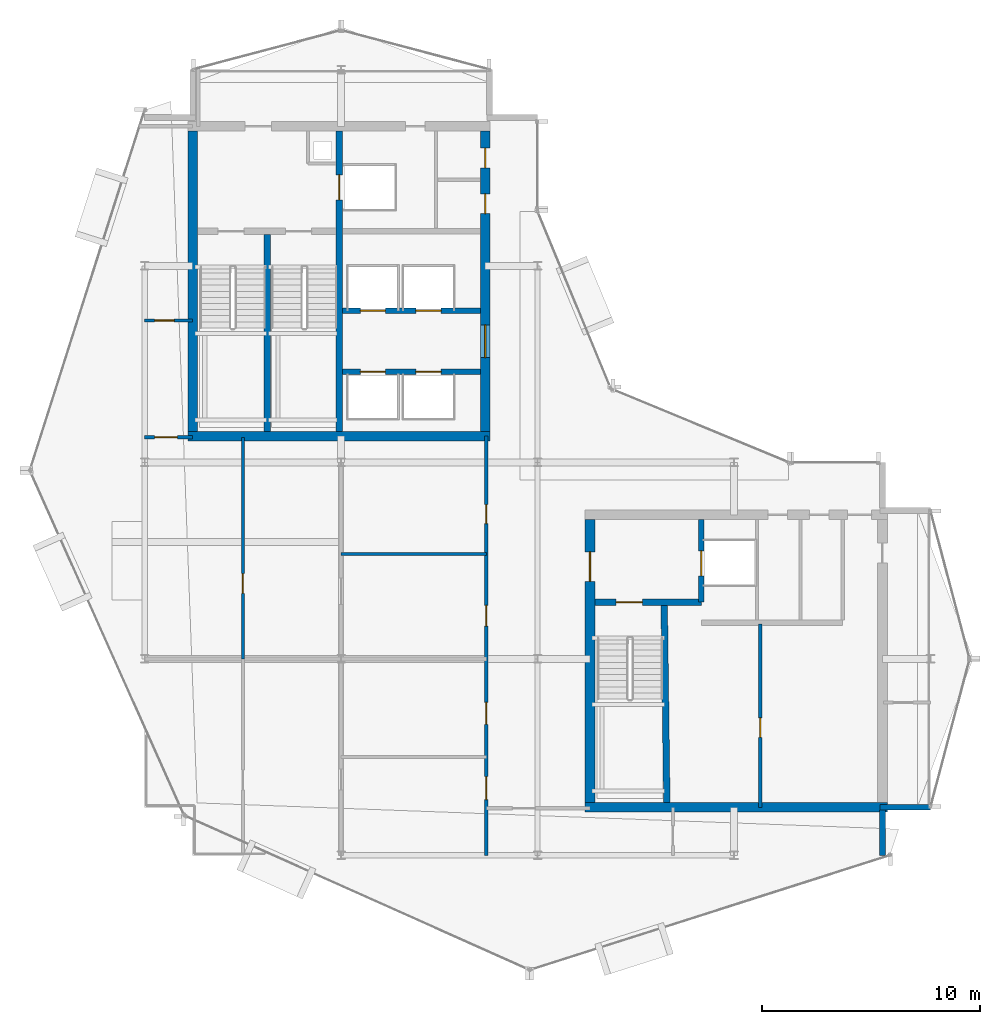
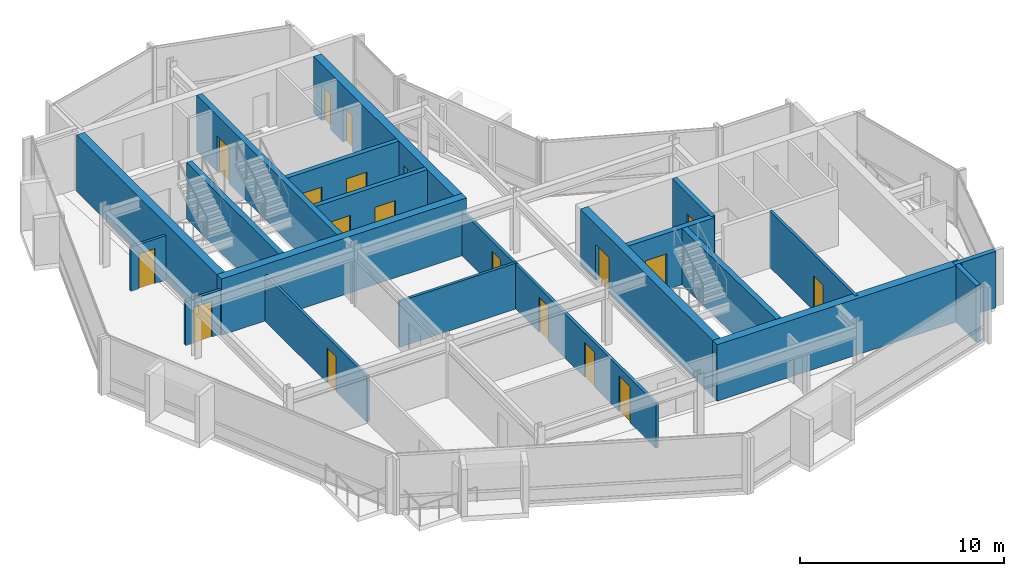
# One storey, part 14 of 19: 20 walls, 19 doors, 19 openings.
"""IFC4 building model written with IfcOpenShell, lengths in metres."""

import ifcopenshell
import ifcopenshell.guid

model = None  # the IFC model being written
_history = None  # IfcOwnerHistory: only IFC2X3 demands one
_inside = {}  # id of a spatial element -> (the spatial element, [elements in it])
_under = {}  # id of a project, library or spatial element -> (it, [spatial elements below it])
_declared = {}  # id of a project -> (the project, [libraries it declares])
_typed = {}  # id of a type object -> (the type object, [elements of that type])
_made_of = {}  # id of a material, layer set ... -> (it, [elements and type objects made of it])


def new_model(schema):
    """Start an empty IFC model of exactly this schema.

    Asked for "IFC4X3", IfcOpenShell would pick the latest addendum, in which some entities
    have other attributes; the version numbers below select the first issue.
    IFC2X3 requires an IfcOwnerHistory on every rooted entity: one is made here for all.
    """
    global model, _history
    if schema == "IFC4X3":
        model = ifcopenshell.file(schema_version=(4, 3, 0, 0))
    else:
        model = ifcopenshell.file(schema=schema)
    _inside.clear()
    _under.clear()
    _declared.clear()
    _typed.clear()
    _made_of.clear()
    _history = None
    if model.schema == "IFC2X3":
        org = make("IfcOrganization", Name="unknown")
        user = make(
            "IfcPersonAndOrganization",
            ThePerson=make("IfcPerson", FamilyName="unknown"),
            TheOrganization=org,
        )
        app = make(
            "IfcApplication",
            ApplicationDeveloper=org,
            Version="unknown",
            ApplicationFullName="unknown",
            ApplicationIdentifier="unknown",
        )
        _history = make(
            "IfcOwnerHistory",
            OwningUser=user,
            OwningApplication=app,
            ChangeAction="ADDED",
            CreationDate=0,
        )
    return model


def make(cls, **values):
    """One entity of the class cls with the attributes given. An attribute that is None is left unset."""
    return model.create_entity(
        cls, **{name: value for name, value in values.items() if value is not None}
    )


def rooted(cls, **values):
    """An entity with a GlobalId (a new one), such as an element, a storey or a relation."""
    return make(cls, GlobalId=ifcopenshell.guid.new(), OwnerHistory=_history, **values)


def si_unit(unit_type, name, prefix=None):
    """IfcSIUnit, for example si_unit("LENGTHUNIT", "METRE", prefix="MILLI")."""
    return make("IfcSIUnit", UnitType=unit_type, Prefix=prefix, Name=name)


def assignment(units):
    """IfcUnitAssignment: the units of a project."""
    return None if units is None else make("IfcUnitAssignment", Units=units)


def point(xyz):
    """IfcCartesianPoint."""
    return None if xyz is None else make("IfcCartesianPoint", Coordinates=xyz)


def direction(xyz):
    """IfcDirection."""
    return None if xyz is None else make("IfcDirection", DirectionRatios=xyz)


def frame(location, z_axis=None, x_axis=None):
    """IfcAxis2Placement3D, a coordinate frame: its origin and axes. An axis left out is left unset."""
    return make(
        "IfcAxis2Placement3D",
        Location=point(location),
        Axis=direction(z_axis),
        RefDirection=direction(x_axis),
    )


def frame_2d(location, x_axis=None):
    """IfcAxis2Placement2D, a coordinate frame in the plane: its origin and x axis."""
    return make(
        "IfcAxis2Placement2D", Location=point(location), RefDirection=direction(x_axis)
    )


def origin():
    """The frame at (0, 0, 0) with its axes left unset."""
    return frame((0.0, 0.0, 0.0))


def place(relative_to, where):
    """IfcLocalPlacement: puts the frame where relative to a parent placement (None: the world)."""
    return make(
        "IfcLocalPlacement", PlacementRelTo=relative_to, RelativePlacement=where
    )


def context(
    kind, dimensions, precision=None, world=None, true_north=None, identifier=None
):
    """IfcGeometricRepresentationContext, for example the 3D "Model" context."""
    return make(
        "IfcGeometricRepresentationContext",
        ContextIdentifier=identifier,
        ContextType=kind,
        CoordinateSpaceDimension=dimensions,
        Precision=precision,
        WorldCoordinateSystem=world,
        TrueNorth=true_north,
    )


def subcontext(parent, identifier, kind, view, scale=None):
    """IfcGeometricRepresentationSubContext, for example "Body" below "Model"."""
    return make(
        "IfcGeometricRepresentationSubContext",
        ContextIdentifier=identifier,
        ContextType=kind,
        ParentContext=parent,
        TargetScale=scale,
        TargetView=view,
    )


def project(units=None, contexts=None):
    """IfcProject with its units and contexts."""
    return rooted(
        "IfcProject",
        Name="project",
        RepresentationContexts=contexts,
        UnitsInContext=assignment(units),
    )


def spatial(cls, under=None, at=None, **own):
    """A site, building, storey or space (cls), placed at a placement, below another one or the project."""
    s = rooted(cls, ObjectPlacement=at, **own)
    if under is not None:
        _under.setdefault(under.id(), (under, []))[1].append(s)
    return s


def profile(cls, at=None, kind="AREA", **sizes):
    """A parametric profile (cls). Its sizes go by their IFC names, for example OverallWidth=200.0."""
    return make(cls, ProfileType=kind, Position=at, **sizes)


def rectangle(**sizes):
    """IfcRectangleProfileDef."""
    return profile("IfcRectangleProfileDef", **sizes)


def extrude(swept, where, along, depth):
    """IfcExtrudedAreaSolid: the profile swept, set in the frame where, extruded along a direction by depth."""
    return make(
        "IfcExtrudedAreaSolid",
        SweptArea=swept,
        Position=where,
        ExtrudedDirection=direction(along),
        Depth=depth,
    )


def shape(context_of_items, identifier, shape_type, items):
    """IfcShapeRepresentation: the items that make up one representation, for example the "Body"."""
    return make(
        "IfcShapeRepresentation",
        ContextOfItems=context_of_items,
        RepresentationIdentifier=identifier,
        RepresentationType=shape_type,
        Items=items,
    )


def material(Name=None, Category=None):
    """IfcMaterial."""
    return make("IfcMaterial", Name=Name, Category=Category)


def layer(
    of_material, thickness, ventilated=None, Name=None, Category=None, Priority=None
):
    """IfcMaterialLayer: one layer of a wall or slab, of a material (None: an air gap)."""
    return make(
        "IfcMaterialLayer",
        Material=of_material,
        LayerThickness=thickness,
        IsVentilated=ventilated,
        Name=Name,
        Category=Category,
        Priority=Priority,
    )


def layer_set(layers, Name=None):
    """IfcMaterialLayerSet."""
    return make("IfcMaterialLayerSet", MaterialLayers=layers, LayerSetName=Name)


def made_of(thing, what):
    """Note that an element or type object is made of a material, layer set ...; save() writes the relation."""
    if what is not None:
        _made_of.setdefault(what.id(), (what, []))[1].append(thing)
    return thing


def type_object(cls, material=None, **own):
    """A type object (cls), such as IfcWallType, which elements share."""
    return made_of(rooted(cls, **own), material)


def element(
    cls,
    number,
    at=None,
    inside=None,
    cuts=None,
    type_object=None,
    material=None,
    context=None,
    identifier="Body",
    shape_type=None,
    held_by="IfcProductDefinitionShape",
    body=None,
    shapes=None,
    **own,
):
    """One element of the class cls, such as IfcWall. Its Tag is "e" and its number.

    at: its placement. inside: the storey or other place that contains it. cuts: it is an
    opening in that element (IfcRelVoidsElement). A single representation is given by context,
    identifier, shape_type and body (its items); several are given by shapes. held_by: the class
    of the entity that holds the representations. save() writes the other relations.
    """
    e = rooted(cls, Tag="e%d" % number, ObjectPlacement=at, **own)
    if body is not None:
        shapes = [shape(context, identifier, shape_type, body)]
    if shapes is not None:
        e.Representation = make(held_by, Representations=shapes)
    if inside is not None:
        _inside.setdefault(inside.id(), (inside, []))[1].append(e)
    if cuts is not None:
        rooted(
            "IfcRelVoidsElement", RelatingBuildingElement=cuts, RelatedOpeningElement=e
        )
    if type_object is not None:
        _typed.setdefault(type_object.id(), (type_object, []))[1].append(e)
    return made_of(e, material)


def fill(opening, filler):
    """IfcRelFillsElement: the door or window that sits in an opening."""
    return rooted(
        "IfcRelFillsElement",
        RelatingOpeningElement=opening,
        RelatedBuildingElement=filler,
    )


def aggregate(whole, parts):
    """IfcRelAggregates: a whole, such as a stair, and the parts it consists of."""
    return rooted("IfcRelAggregates", RelatingObject=whole, RelatedObjects=parts)


def save(model, path):
    """Write the relations noted so far, then the file.

    IfcRelAggregates (storeys below a building ...), IfcRelContainedInSpatialStructure (elements
    in a storey), IfcRelDefinesByType, IfcRelAssociatesMaterial and IfcRelDeclares: one each for
    every whole, place, type object, material and project.
    """
    for whole, parts in _under.values():
        aggregate(whole, parts)
    for where, things in _inside.values():
        rooted(
            "IfcRelContainedInSpatialStructure",
            RelatedElements=things,
            RelatingStructure=where,
        )
    for kind, things in _typed.values():
        rooted("IfcRelDefinesByType", RelatedObjects=things, RelatingType=kind)
    for what, things in _made_of.values():
        rooted("IfcRelAssociatesMaterial", RelatedObjects=things, RelatingMaterial=what)
    for by, libraries in _declared.values():
        rooted("IfcRelDeclares", RelatingContext=by, RelatedDefinitions=libraries)
    model.write(path)


model = new_model("IFC4")

# Units and contexts
model_context = context("Model", 3, precision=1e-05, world=origin(), true_north=direction((0.0, 1.0)))
body_context = subcontext(model_context, "Body", "Model", "MODEL_VIEW")
ifc_project = project(units=[si_unit("LENGTHUNIT", "METRE"), si_unit("AREAUNIT", "SQUARE_METRE"), si_unit("VOLUMEUNIT", "CUBIC_METRE"), si_unit("PLANEANGLEUNIT", "RADIAN"), si_unit("MASSUNIT", "GRAM", prefix="KILO")], contexts=[model_context])

# Site, building, storey
site_placement = place(None, origin())
site = spatial("IfcSite", under=ifc_project, at=site_placement, CompositionType="ELEMENT")
building_placement = place(site_placement, origin())
building = spatial("IfcBuilding", under=site, at=building_placement, Name="Solvaryn Broadcast Tower", CompositionType="ELEMENT")
storey_placement = place(building_placement, frame((0.0, 0.0, 293.699951171875)))
storey = spatial("IfcBuildingStorey", under=building, at=storey_placement, Name="L74", CompositionType="ELEMENT", Elevation=293.699951171875)

# Walls
ifc_material_1 = material(Name="Concrete f'c 70 MPa", Category="concrete")
ifc_layer_1 = layer(ifc_material_1, 0.449951171875)
ifc_layer_set_1 = layer_set([ifc_layer_1], Name="CW-SHEAR-450")
wall_type_1 = type_object("IfcWallType", Name="CW-SHEAR-450", PredefinedType="SHEAR", material=ifc_layer_set_1)
wall_1_placement = place(storey_placement, frame((10.97509765625, 28.199951171875, 0.0), z_axis=(0.0, 0.0, 1.0), x_axis=(1.0, 0.0, 0.0)))
element("IfcWall", 1, at=wall_1_placement, inside=storey, type_object=wall_type_1, Name="L74 West Core South Shear Wall", PredefinedType="SHEAR", context=body_context, shape_type="SweptSolid", body=[
    extrude(rectangle(XDim=13.849853515625, YDim=0.449951171875, at=frame_2d((6.9248046875, 0.0))), origin(), (0.0, 0.0, 1.0), 3.3701171875),
])
wall_2_placement = place(storey_placement, frame((11.199951171875, 42.175048828125, 0.0), z_axis=(0.0, 0.0, 1.0), x_axis=(0.0, -1.0, 0.0)))
element("IfcWall", 2, at=wall_2_placement, inside=storey, type_object=wall_type_1, Name="L74 West Core West Shear Wall", PredefinedType="SHEAR", context=body_context, shape_type="SweptSolid", body=[
    extrude(rectangle(XDim=13.75, YDim=0.449951171875, at=frame_2d((6.875, 0.0))), origin(), (0.0, 0.0, 1.0), 3.3701171875),
])

# Wall, openings, doors
wall_3_placement = place(storey_placement, frame((24.60009765625, 28.425048828125, 0.0), z_axis=(0.0, 0.0, 1.0), x_axis=(0.0, 1.0, 0.0)))
wall_3 = element("IfcWall", 3, at=wall_3_placement, inside=storey, type_object=wall_type_1, Name="L74 West Core East Shear Wall", PredefinedType="SHEAR", context=body_context, shape_type="SweptSolid", body=[
    extrude(rectangle(XDim=13.75, YDim=0.449951171875, at=frame_2d((6.875, 0.0))), origin(), (0.0, 0.0, 1.0), 3.3701171875),
])
opening_1_placement = place(wall_3_placement, frame((3.375, 0.0, 0.0)))
opening_1 = element("IfcOpeningElement", 4, at=opening_1_placement, cuts=wall_3, Name="Opening FD60A", PredefinedType="OPENING", context=body_context, shape_type="SweptSolid", body=[
    extrude(rectangle(XDim=1.5, YDim=2.199951171875, at=frame_2d((0.75, 1.10009765625))), frame((0.0, 0.235107421875, 0.0), z_axis=(0.0, -1.0, 0.0), x_axis=(1.0, 0.0, 0.0)), (0.0, 0.0, 1.0), 0.469970703125),
])
opening_2_placement = place(wall_3_placement, frame((9.97509765625, 0.0, 0.0)))
opening_2 = element("IfcOpeningElement", 5, at=opening_2_placement, cuts=wall_3, Name="Opening FD60C", PredefinedType="OPENING", context=body_context, shape_type="SweptSolid", body=[
    extrude(rectangle(XDim=0.89990234375, YDim=2.10009765625, at=frame_2d((0.449951171875, 1.050048828125))), frame((0.0, 0.235107421875, 0.0), z_axis=(0.0, -1.0, 0.0), x_axis=(1.0, 0.0, 0.0)), (0.0, 0.0, 1.0), 0.469970703125),
])
opening_3_placement = place(wall_3_placement, frame((12.074951171875, 0.0, 0.0)))
opening_3 = element("IfcOpeningElement", 6, at=opening_3_placement, cuts=wall_3, Name="Opening FD60C", PredefinedType="OPENING", context=body_context, shape_type="SweptSolid", body=[
    extrude(rectangle(XDim=0.89990234375, YDim=2.10009765625, at=frame_2d((0.449951171875, 1.050048828125))), frame((0.0, 0.235107421875, 0.0), z_axis=(0.0, -1.0, 0.0), x_axis=(1.0, 0.0, 0.0)), (0.0, 0.0, 1.0), 0.469970703125),
])
ifc_material_2 = material(Name="Flush Acoustic Steel and Timber Door Assembly", Category="steel")
door_type_1 = type_object("IfcDoorType", Name="FD60-CORR-1500X2200", OperationType="NOTDEFINED", PredefinedType="DOOR", material=ifc_material_2)
door_1_placement = place(opening_1_placement, origin())
door_1 = element("IfcDoor", 7, at=door_1_placement, inside=storey, type_object=door_type_1, Name="L74 West Elevator Lobby Corridor Door", OperationType="DOUBLE_DOOR_SINGLE_SWING", OverallHeight=2.199951171875, OverallWidth=1.5, PredefinedType="DOOR", context=body_context, shape_type="SweptSolid", body=[
    extrude(rectangle(XDim=1.5, YDim=2.199951171875, at=frame_2d((0.75, 1.10009765625))), frame((0.0, 0.02490234375, 0.0), z_axis=(0.0, -1.0, 0.0), x_axis=(1.0, 0.0, 0.0)), (0.0, 0.0, 1.0), 0.050048828125),
])
fill(opening_1, door_1)
ifc_material_3 = material(Name="Flush Acoustic Steel and Timber Door Assembly", Category="steel")
door_type_2 = type_object("IfcDoorType", Name="FD60-SERV-900X2100", OperationType="NOTDEFINED", PredefinedType="DOOR", material=ifc_material_3)
door_2_placement = place(opening_2_placement, origin())
door_2 = element("IfcDoor", 8, at=door_2_placement, inside=storey, type_object=door_type_2, Name="L74 West Core Service Door 1", OperationType="SINGLE_SWING_LEFT", OverallHeight=2.10009765625, OverallWidth=0.89990234375, PredefinedType="DOOR", context=body_context, shape_type="SweptSolid", body=[
    extrude(rectangle(XDim=0.89990234375, YDim=2.10009765625, at=frame_2d((0.449951171875, 1.050048828125))), frame((0.0, 0.02490234375, 0.0), z_axis=(0.0, -1.0, 0.0), x_axis=(1.0, 0.0, 0.0)), (0.0, 0.0, 1.0), 0.050048828125),
])
fill(opening_2, door_2)
door_3_placement = place(opening_3_placement, origin())
door_3 = element("IfcDoor", 9, at=door_3_placement, inside=storey, type_object=door_type_2, Name="L74 West Core Janitor Door", OperationType="SINGLE_SWING_RIGHT", OverallHeight=2.10009765625, OverallWidth=0.89990234375, PredefinedType="DOOR", context=body_context, shape_type="SweptSolid", body=[
    extrude(rectangle(XDim=0.89990234375, YDim=2.10009765625, at=frame_2d((0.449951171875, 1.050048828125))), frame((0.0, 0.02490234375, 0.0), z_axis=(0.0, -1.0, 0.0), x_axis=(1.0, 0.0, 0.0)), (0.0, 0.0, 1.0), 0.050048828125),
])
fill(opening_3, door_3)

# Wall
wall_4_placement = place(storey_placement, frame((29.175048828125, 11.199951171875, 0.0), z_axis=(0.0, 0.0, 1.0), x_axis=(1.0, 0.0, 0.0)))
element("IfcWall", 10, at=wall_4_placement, inside=storey, type_object=wall_type_1, Name="L74 East Core South Shear Wall", PredefinedType="SHEAR", context=body_context, shape_type="SweptSolid", body=[
    extrude(rectangle(XDim=13.849853515625, YDim=0.449951171875, at=frame_2d((6.9248046875, 0.0))), origin(), (0.0, 0.0, 1.0), 3.3701171875),
])

# Wall, opening, door
wall_5_placement = place(storey_placement, frame((29.39990234375, 24.375, 0.0), z_axis=(0.0, 0.0, 1.0), x_axis=(0.0, -1.0, 0.0)))
wall_5 = element("IfcWall", 11, at=wall_5_placement, inside=storey, type_object=wall_type_1, Name="L74 East Core West Shear Wall", PredefinedType="SHEAR", context=body_context, shape_type="SweptSolid", body=[
    extrude(rectangle(XDim=12.949951171875, YDim=0.449951171875, at=frame_2d((6.47509765625, 0.0))), origin(), (0.0, 0.0, 1.0), 3.3701171875),
])
opening_4_placement = place(wall_5_placement, frame((1.47509765625, 0.0, 0.0)))
opening_4 = element("IfcOpeningElement", 12, at=opening_4_placement, cuts=wall_5, Name="Opening FD90B", PredefinedType="OPENING", context=body_context, shape_type="SweptSolid", body=[
    extrude(rectangle(XDim=1.35009765625, YDim=2.14990234375, at=frame_2d((0.675048828125, 1.074951171875))), frame((0.0, 0.235107421875, 0.0), z_axis=(0.0, -1.0, 0.0), x_axis=(1.0, 0.0, 0.0)), (0.0, 0.0, 1.0), 0.469970703125),
])
ifc_material_4 = material(Name="Flush Acoustic Steel and Timber Door Assembly", Category="steel")
door_type_3 = type_object("IfcDoorType", Name="FD90-LOBBY-1350X2150", OperationType="NOTDEFINED", PredefinedType="DOOR", material=ifc_material_4)
door_4_placement = place(opening_4_placement, origin())
door_4 = element("IfcDoor", 13, at=door_4_placement, inside=storey, type_object=door_type_3, Name="L74 East FSAE Lobby Door", OperationType="SINGLE_SWING_RIGHT", OverallHeight=2.14990234375, OverallWidth=1.35009765625, PredefinedType="DOOR", context=body_context, shape_type="SweptSolid", body=[
    extrude(rectangle(XDim=1.35009765625, YDim=2.14990234375, at=frame_2d((0.675048828125, 1.074951171875))), frame((0.0, 0.02490234375, 0.0), z_axis=(0.0, -1.0, 0.0), x_axis=(1.0, 0.0, 0.0)), (0.0, 0.0, 1.0), 0.050048828125),
])
fill(opening_4, door_4)

# Walls
ifc_material_5 = material(Name="Concrete f'c 50 MPa", Category="concrete")
ifc_layer_2 = layer(ifc_material_5, 0.260009765625)
ifc_layer_set_2 = layer_set([ifc_layer_2], Name="EW-PIER-260")
wall_type_2 = type_object("IfcWallType", Name="EW-PIER-260", PredefinedType="SOLIDWALL", material=ifc_layer_set_2)
wall_6_placement = place(storey_placement, frame((42.800048828125, 9.0, 0.0), z_axis=(0.0, 0.0, 1.0), x_axis=(0.0, 1.0, 0.0)))
element("IfcWall", 14, at=wall_6_placement, inside=storey, type_object=wall_type_2, Name="L74 Notched Corner Pier Wall NSE1", PredefinedType="SOLIDWALL", context=body_context, shape_type="SweptSolid", body=[
    extrude(rectangle(XDim=2.080078125, YDim=0.260009765625, at=frame_2d((1.0400390625, 0.0))), origin(), (0.0, 0.0, 1.0), 3.3701171875),
])
wall_7_placement = place(storey_placement, frame((42.679931640625, 11.199951171875, 0.0), z_axis=(0.0, 0.0, 1.0), x_axis=(1.0, 0.0, 0.0)))
element("IfcWall", 15, at=wall_7_placement, inside=storey, type_object=wall_type_2, Name="L74 Notched Corner Pier Wall NSE2", PredefinedType="SOLIDWALL", context=body_context, shape_type="SweptSolid", body=[
    extrude(rectangle(XDim=2.320068359375, YDim=0.260009765625, at=frame_2d((1.16015625, 0.0))), origin(), (0.0, 0.0, 1.0), 3.3701171875),
])

# Wall, opening, door
ifc_material_6 = material(Name="Metal-Stud Service Core Partition")
ifc_layer_3 = layer(ifc_material_6, 0.14990234375)
ifc_layer_set_3 = layer_set([ifc_layer_3], Name="IW-PART-150")
wall_type_3 = type_object("IfcWallType", Name="IW-PART-150", PredefinedType="PARTITIONING", material=ifc_layer_set_3)
wall_8_placement = place(storey_placement, frame((37.199951171875, 11.199951171875, 0.0), z_axis=(0.0, 0.0, 1.0), x_axis=(0.0, 1.0, 0.0)))
wall_8 = element("IfcWall", 16, at=wall_8_placement, inside=storey, type_object=wall_type_3, Name="L74 Interior Partition IW-L74-RPM-V", PredefinedType="PARTITIONING", context=body_context, shape_type="SweptSolid", body=[
    extrude(rectangle(XDim=8.400146484375, YDim=0.14990234375, at=frame_2d((4.2001953125, 0.0))), origin(), (0.0, 0.0, 1.0), 3.3701171875),
])
opening_5_placement = place(wall_8_placement, frame((3.199951171875, 0.0, 0.0)))
opening_5 = element("IfcOpeningElement", 17, at=opening_5_placement, cuts=wall_8, Name="Opening FD60C", PredefinedType="OPENING", context=body_context, shape_type="SweptSolid", body=[
    extrude(rectangle(XDim=0.89990234375, YDim=2.10009765625, at=frame_2d((0.449951171875, 1.050048828125))), frame((0.0, 0.0849609375, 0.0), z_axis=(0.0, -1.0, 0.0), x_axis=(1.0, 0.0, 0.0)), (0.0, 0.0, 1.0), 0.169921875),
])
door_5_placement = place(opening_5_placement, origin())
door_5 = element("IfcDoor", 18, at=door_5_placement, inside=storey, type_object=door_type_2, Name="L74 Door DR-L74-RPM1", OperationType="SINGLE_SWING_LEFT", OverallHeight=2.10009765625, OverallWidth=0.89990234375, PredefinedType="DOOR", context=body_context, shape_type="SweptSolid", body=[
    extrude(rectangle(XDim=0.89990234375, YDim=2.10009765625, at=frame_2d((0.449951171875, 1.050048828125))), frame((0.0, 0.02490234375, 0.0), z_axis=(0.0, -1.0, 0.0), x_axis=(1.0, 0.0, 0.0)), (0.0, 0.0, 1.0), 0.050048828125),
])
fill(opening_5, door_5)

wall_9_placement = place(storey_placement, frame((9.0, 33.5, 0.0), z_axis=(0.0, 0.0, 1.0), x_axis=(1.0, 0.0, 0.0)))
wall_9 = element("IfcWall", 19, at=wall_9_placement, inside=storey, type_object=wall_type_3, Name="L74 Interior Partition IW-L74-WM-M", PredefinedType="PARTITIONING", context=body_context, shape_type="SweptSolid", body=[
    extrude(rectangle(XDim=2.199951171875, YDim=0.14990234375, at=frame_2d((1.10009765625, 0.0))), origin(), (0.0, 0.0, 1.0), 2.656982421875),
])
opening_6_placement = place(wall_9_placement, frame((0.449951171875, 0.0, 0.0)))
opening_6 = element("IfcOpeningElement", 20, at=opening_6_placement, cuts=wall_9, Name="Opening FD60C", PredefinedType="OPENING", context=body_context, shape_type="SweptSolid", body=[
    extrude(rectangle(XDim=0.89990234375, YDim=2.10009765625, at=frame_2d((0.449951171875, 1.050048828125))), frame((0.0, 0.0849609375, 0.0), z_axis=(0.0, -1.0, 0.0), x_axis=(1.0, 0.0, 0.0)), (0.0, 0.0, 1.0), 0.169921875),
])
door_6_placement = place(opening_6_placement, origin())
door_6 = element("IfcDoor", 21, at=door_6_placement, inside=storey, type_object=door_type_2, Name="L74 Door DR-L74-WM1", OperationType="SINGLE_SWING_LEFT", OverallHeight=2.10009765625, OverallWidth=0.89990234375, PredefinedType="DOOR", context=body_context, shape_type="SweptSolid", body=[
    extrude(rectangle(XDim=0.89990234375, YDim=2.10009765625, at=frame_2d((0.449951171875, 1.050048828125))), frame((0.0, 0.02490234375, 0.0), z_axis=(0.0, -1.0, 0.0), x_axis=(1.0, 0.0, 0.0)), (0.0, 0.0, 1.0), 0.050048828125),
])
fill(opening_6, door_6)

wall_10_placement = place(storey_placement, frame((13.5, 18.0, 0.0), z_axis=(0.0, 0.0, 1.0), x_axis=(0.0, 1.0, 0.0)))
wall_10 = element("IfcWall", 22, at=wall_10_placement, inside=storey, type_object=wall_type_3, Name="L74 Interior Partition IW-L74-SW-C1", PredefinedType="PARTITIONING", context=body_context, shape_type="SweptSolid", body=[
    extrude(rectangle(XDim=10.1298828125, YDim=0.14990234375, at=frame_2d((5.06494140625, 0.0))), origin(), (0.0, 0.0, 1.0), 2.739013671875),
])
opening_7_placement = place(wall_10_placement, frame((3.0, 0.0, 0.0)))
opening_7 = element("IfcOpeningElement", 23, at=opening_7_placement, cuts=wall_10, Name="Opening FD60C", PredefinedType="OPENING", context=body_context, shape_type="SweptSolid", body=[
    extrude(rectangle(XDim=0.89990234375, YDim=2.10009765625, at=frame_2d((0.449951171875, 1.050048828125))), frame((0.0, 0.0849609375, 0.0), z_axis=(0.0, -1.0, 0.0), x_axis=(1.0, 0.0, 0.0)), (0.0, 0.0, 1.0), 0.169921875),
])
door_7_placement = place(opening_7_placement, origin())
door_7 = element("IfcDoor", 24, at=door_7_placement, inside=storey, type_object=door_type_2, Name="L74 Door DR-L74-SWQ-6", OperationType="SINGLE_SWING_LEFT", OverallHeight=2.10009765625, OverallWidth=0.89990234375, PredefinedType="DOOR", context=body_context, shape_type="SweptSolid", body=[
    extrude(rectangle(XDim=0.89990234375, YDim=2.10009765625, at=frame_2d((0.449951171875, 1.050048828125))), frame((0.0, 0.02490234375, 0.0), z_axis=(0.0, -1.0, 0.0), x_axis=(1.0, 0.0, 0.0)), (0.0, 0.0, 1.0), 0.050048828125),
])
fill(opening_7, door_7)

# Wall
wall_11_placement = place(storey_placement, frame((18.0, 22.800048828125, 0.0), z_axis=(0.0, 0.0, 1.0), x_axis=(1.0, 0.0, 0.0)))
element("IfcWall", 25, at=wall_11_placement, inside=storey, type_object=wall_type_3, Name="L74 Interior Partition IW-L74-SW-C3", PredefinedType="PARTITIONING", context=body_context, shape_type="SweptSolid", body=[
    extrude(rectangle(XDim=6.64990234375, YDim=0.14990234375, at=frame_2d((3.324951171875, 0.0))), origin(), (0.0, 0.0, 1.0), 2.741943359375),
])

# Wall, opening, door
ifc_material_7 = material(Name="Metal-Stud Gypsum Office Partition")
ifc_layer_4 = layer(ifc_material_7, 0.159912109375)
ifc_layer_set_4 = layer_set([ifc_layer_4], Name="IW-PART-160")
wall_type_4 = type_object("IfcWallType", Name="IW-PART-160", PredefinedType="PARTITIONING", material=ifc_layer_set_4)
wall_12_placement = place(storey_placement, frame((9.0, 28.14990234375, 0.0), z_axis=(0.0, 0.0, 1.0), x_axis=(1.0, 0.0, 0.0)))
wall_12 = element("IfcWall", 26, at=wall_12_placement, inside=storey, type_object=wall_type_4, Name="L74 Interior Partition IW-L74-WM-S", PredefinedType="PARTITIONING", context=body_context, shape_type="SweptSolid", body=[
    extrude(rectangle(XDim=2.199951171875, YDim=0.159912109375, at=frame_2d((1.10009765625, 0.0))), origin(), (0.0, 0.0, 1.0), 2.656982421875),
])
opening_8_placement = place(wall_12_placement, frame((0.449951171875, 0.0, 0.0)))
opening_8 = element("IfcOpeningElement", 27, at=opening_8_placement, cuts=wall_12, Name="Opening ID03", PredefinedType="OPENING", context=body_context, shape_type="SweptSolid", body=[
    extrude(rectangle(XDim=1.050048828125, YDim=2.14990234375, at=frame_2d((0.52490234375, 1.074951171875))), frame((0.0, 0.090087890625, 0.0), z_axis=(0.0, -1.0, 0.0), x_axis=(1.0, 0.0, 0.0)), (0.0, 0.0, 1.0), 0.179931640625),
])
ifc_material_8 = material(Name="Flush Acoustic Steel and Timber Door Assembly", Category="steel")
door_type_4 = type_object("IfcDoorType", Name="ID-03-1050X2150", OperationType="NOTDEFINED", PredefinedType="DOOR", material=ifc_material_8)
door_8_placement = place(opening_8_placement, origin())
door_8 = element("IfcDoor", 28, at=door_8_placement, inside=storey, type_object=door_type_4, Name="L74 Door DR-L74-WM0", OperationType="SINGLE_SWING_RIGHT", OverallHeight=2.14990234375, OverallWidth=1.050048828125, PredefinedType="DOOR", context=body_context, shape_type="SweptSolid", body=[
    extrude(rectangle(XDim=1.050048828125, YDim=2.14990234375, at=frame_2d((0.52490234375, 1.074951171875))), frame((0.0, 0.02490234375, 0.0), z_axis=(0.0, -1.0, 0.0), x_axis=(1.0, 0.0, 0.0)), (0.0, 0.0, 1.0), 0.050048828125),
])
fill(opening_8, door_8)

# Wall, openings, doors
wall_13_placement = place(storey_placement, frame((24.64990234375, 9.0, 0.0), z_axis=(0.0, 0.0, 1.0), x_axis=(0.0, 1.0, 0.0)))
wall_13 = element("IfcWall", 29, at=wall_13_placement, inside=storey, type_object=wall_type_4, Name="L74 Interior Partition IW-L74-SW-EB", PredefinedType="PARTITIONING", context=body_context, shape_type="SweptSolid", body=[
    extrude(rectangle(XDim=19.199951171875, YDim=0.159912109375, at=frame_2d((9.60009765625, 0.0))), origin(), (0.0, 0.0, 1.0), 2.656982421875),
])
opening_9_placement = place(wall_13_placement, frame((15.199951171875, 0.0, 0.0)))
opening_9 = element("IfcOpeningElement", 30, at=opening_9_placement, cuts=wall_13, Name="Opening ID07", PredefinedType="OPENING", context=body_context, shape_type="SweptSolid", body=[
    extrude(rectangle(XDim=0.860107421875, YDim=2.050048828125, at=frame_2d((0.43017578125, 1.02490234375))), frame((0.0, 0.090087890625, 0.0), z_axis=(0.0, -1.0, 0.0), x_axis=(1.0, 0.0, 0.0)), (0.0, 0.0, 1.0), 0.179931640625),
])
opening_10_placement = place(wall_13_placement, frame((10.5, 0.0, 0.0)))
opening_10 = element("IfcOpeningElement", 31, at=opening_10_placement, cuts=wall_13, Name="Opening ID01", PredefinedType="OPENING", context=body_context, shape_type="SweptSolid", body=[
    extrude(rectangle(XDim=0.949951171875, YDim=2.10009765625, at=frame_2d((0.47509765625, 1.050048828125))), frame((0.0, 0.090087890625, 0.0), z_axis=(0.0, -1.0, 0.0), x_axis=(1.0, 0.0, 0.0)), (0.0, 0.0, 1.0), 0.179931640625),
])
opening_11_placement = place(wall_13_placement, frame((6.0, 0.0, 0.0)))
opening_11 = element("IfcOpeningElement", 32, at=opening_11_placement, cuts=wall_13, Name="Opening ID02", PredefinedType="OPENING", context=body_context, shape_type="SweptSolid", body=[
    extrude(rectangle(XDim=1.0, YDim=2.10009765625, at=frame_2d((0.5, 1.050048828125))), frame((0.0, 0.090087890625, 0.0), z_axis=(0.0, -1.0, 0.0), x_axis=(1.0, 0.0, 0.0)), (0.0, 0.0, 1.0), 0.179931640625),
])
opening_12_placement = place(wall_13_placement, frame((2.550048828125, 0.0, 0.0)))
opening_12 = element("IfcOpeningElement", 33, at=opening_12_placement, cuts=wall_13, Name="Opening ID03", PredefinedType="OPENING", context=body_context, shape_type="SweptSolid", body=[
    extrude(rectangle(XDim=1.050048828125, YDim=2.14990234375, at=frame_2d((0.52490234375, 1.074951171875))), frame((0.0, 0.090087890625, 0.0), z_axis=(0.0, -1.0, 0.0), x_axis=(1.0, 0.0, 0.0)), (0.0, 0.0, 1.0), 0.179931640625),
])
ifc_material_9 = material(Name="Flush Acoustic Steel and Timber Door Assembly", Category="steel")
door_type_5 = type_object("IfcDoorType", Name="ID-01-950X2100", OperationType="NOTDEFINED", PredefinedType="DOOR", material=ifc_material_9)
door_9_placement = place(opening_10_placement, origin())
door_9 = element("IfcDoor", 34, at=door_9_placement, inside=storey, type_object=door_type_5, Name="L74 Door DR-L74-SWQ-2", OperationType="SINGLE_SWING_LEFT", OverallHeight=2.10009765625, OverallWidth=0.949951171875, PredefinedType="DOOR", context=body_context, shape_type="SweptSolid", body=[
    extrude(rectangle(XDim=0.949951171875, YDim=2.10009765625, at=frame_2d((0.47509765625, 1.050048828125))), frame((0.0, 0.02490234375, 0.0), z_axis=(0.0, -1.0, 0.0), x_axis=(1.0, 0.0, 0.0)), (0.0, 0.0, 1.0), 0.050048828125),
])
fill(opening_10, door_9)
ifc_material_10 = material(Name="Flush Acoustic Steel and Timber Door Assembly", Category="steel")
door_type_6 = type_object("IfcDoorType", Name="ID-02-1000X2100", OperationType="NOTDEFINED", PredefinedType="DOOR", material=ifc_material_10)
door_10_placement = place(opening_11_placement, origin())
door_10 = element("IfcDoor", 35, at=door_10_placement, inside=storey, type_object=door_type_6, Name="L74 Door DR-L74-SWQ-3", OperationType="SINGLE_SWING_RIGHT", OverallHeight=2.10009765625, OverallWidth=1.0, PredefinedType="DOOR", context=body_context, shape_type="SweptSolid", body=[
    extrude(rectangle(XDim=1.0, YDim=2.10009765625, at=frame_2d((0.5, 1.050048828125))), frame((0.0, 0.02490234375, 0.0), z_axis=(0.0, -1.0, 0.0), x_axis=(1.0, 0.0, 0.0)), (0.0, 0.0, 1.0), 0.050048828125),
])
fill(opening_11, door_10)
door_11_placement = place(opening_12_placement, origin())
door_11 = element("IfcDoor", 36, at=door_11_placement, inside=storey, type_object=door_type_4, Name="L74 Door DR-L74-SWQ-4", OperationType="SINGLE_SWING_LEFT", OverallHeight=2.14990234375, OverallWidth=1.050048828125, PredefinedType="DOOR", context=body_context, shape_type="SweptSolid", body=[
    extrude(rectangle(XDim=1.050048828125, YDim=2.14990234375, at=frame_2d((0.52490234375, 1.074951171875))), frame((0.0, 0.02490234375, 0.0), z_axis=(0.0, -1.0, 0.0), x_axis=(1.0, 0.0, 0.0)), (0.0, 0.0, 1.0), 0.050048828125),
])
fill(opening_12, door_11)
ifc_material_11 = material(Name="Flush Acoustic Steel and Timber Door Assembly", Category="steel")
door_type_7 = type_object("IfcDoorType", Name="ID-07-860X2050", OperationType="NOTDEFINED", PredefinedType="DOOR", material=ifc_material_11)
door_12_placement = place(opening_9_placement, origin())
door_12 = element("IfcDoor", 37, at=door_12_placement, inside=storey, type_object=door_type_7, Name="L74 Door DR-L74-SWQ-1", OperationType="SINGLE_SWING_RIGHT", OverallHeight=2.050048828125, OverallWidth=0.860107421875, PredefinedType="DOOR", context=body_context, shape_type="SweptSolid", body=[
    extrude(rectangle(XDim=0.860107421875, YDim=2.050048828125, at=frame_2d((0.43017578125, 1.02490234375))), frame((0.0, 0.02490234375, 0.0), z_axis=(0.0, -1.0, 0.0), x_axis=(1.0, 0.0, 0.0)), (0.0, 0.0, 1.0), 0.050048828125),
])
fill(opening_9, door_12)

ifc_material_12 = material(Name="Concrete f'c 60 MPa", Category="concrete")
ifc_layer_5 = layer(ifc_material_12, 0.25)
ifc_layer_set_5 = layer_set([ifc_layer_5], Name="SW-SHAFT-250")
wall_type_5 = type_object("IfcWallType", Name="SW-SHAFT-250", PredefinedType="PARTITIONING", material=ifc_layer_set_5)
wall_14_placement = place(storey_placement, frame((18.070068359375, 31.14990234375, 0.0), z_axis=(0.0, 0.0, 1.0), x_axis=(1.0, 0.0, 0.0)))
wall_14 = element("IfcWall", 38, at=wall_14_placement, inside=storey, type_object=wall_type_5, Name="L74 High-Rise Lift Bank South Wall", PredefinedType="PARTITIONING", context=body_context, shape_type="SweptSolid", body=[
    extrude(rectangle(XDim=6.304931640625, YDim=0.25, at=frame_2d((3.15234375, 0.0))), origin(), (0.0, 0.0, 1.0), 3.3701171875),
])
opening_13_placement = place(wall_14_placement, frame((0.804931640625, 0.0, 0.0)))
opening_13 = element("IfcOpeningElement", 39, at=opening_13_placement, cuts=wall_14, Name="Opening LD01", PredefinedType="OPENING", context=body_context, shape_type="SweptSolid", body=[
    extrude(rectangle(XDim=1.14990234375, YDim=2.14990234375, at=frame_2d((0.574951171875, 1.074951171875))), frame((0.0, 0.135009765625, 0.0), z_axis=(0.0, -1.0, 0.0), x_axis=(1.0, 0.0, 0.0)), (0.0, 0.0, 1.0), 0.27001953125),
])
opening_14_placement = place(wall_14_placement, frame((3.35498046875, 0.0, 0.0)))
opening_14 = element("IfcOpeningElement", 40, at=opening_14_placement, cuts=wall_14, Name="Opening LD01", PredefinedType="OPENING", context=body_context, shape_type="SweptSolid", body=[
    extrude(rectangle(XDim=1.14990234375, YDim=2.14990234375, at=frame_2d((0.574951171875, 1.074951171875))), frame((0.0, 0.135009765625, 0.0), z_axis=(0.0, -1.0, 0.0), x_axis=(1.0, 0.0, 0.0)), (0.0, 0.0, 1.0), 0.27001953125),
])
ifc_material_13 = material(Name="Flush Acoustic Steel and Timber Door Assembly", Category="steel")
door_type_8 = type_object("IfcDoorType", Name="LD-LIFT-1150X2150", OperationType="NOTDEFINED", PredefinedType="DOOR", material=ifc_material_13)
door_13_placement = place(opening_13_placement, origin())
door_13 = element("IfcDoor", 41, at=door_13_placement, inside=storey, type_object=door_type_8, Name="L74 PH1 Lift Landing Door", OperationType="DOUBLE_DOOR_SLIDING", OverallHeight=2.14990234375, OverallWidth=1.14990234375, PredefinedType="DOOR", context=body_context, shape_type="SweptSolid", body=[
    extrude(rectangle(XDim=1.14990234375, YDim=2.14990234375, at=frame_2d((0.574951171875, 1.074951171875))), frame((0.0, 0.02490234375, 0.0), z_axis=(0.0, -1.0, 0.0), x_axis=(1.0, 0.0, 0.0)), (0.0, 0.0, 1.0), 0.050048828125),
])
fill(opening_13, door_13)
door_14_placement = place(opening_14_placement, origin())
door_14 = element("IfcDoor", 42, at=door_14_placement, inside=storey, type_object=door_type_8, Name="L74 PH2 Lift Landing Door", OperationType="DOUBLE_DOOR_SLIDING", OverallHeight=2.14990234375, OverallWidth=1.14990234375, PredefinedType="DOOR", context=body_context, shape_type="SweptSolid", body=[
    extrude(rectangle(XDim=1.14990234375, YDim=2.14990234375, at=frame_2d((0.574951171875, 1.074951171875))), frame((0.0, 0.02490234375, 0.0), z_axis=(0.0, -1.0, 0.0), x_axis=(1.0, 0.0, 0.0)), (0.0, 0.0, 1.0), 0.050048828125),
])
fill(opening_14, door_14)

wall_15_placement = place(storey_placement, frame((24.375, 33.949951171875, 0.0), z_axis=(0.0, 0.0, 1.0), x_axis=(-1.0, 0.0, 0.0)))
wall_15 = element("IfcWall", 43, at=wall_15_placement, inside=storey, type_object=wall_type_5, Name="L74 High-Rise Lift Bank North Wall", PredefinedType="PARTITIONING", context=body_context, shape_type="SweptSolid", body=[
    extrude(rectangle(XDim=6.304931640625, YDim=0.25, at=frame_2d((3.15234375, 0.0))), origin(), (0.0, 0.0, 1.0), 3.3701171875),
])
opening_15_placement = place(wall_15_placement, frame((4.35009765625, 0.0, 0.0)))
opening_15 = element("IfcOpeningElement", 44, at=opening_15_placement, cuts=wall_15, Name="Opening LD01", PredefinedType="OPENING", context=body_context, shape_type="SweptSolid", body=[
    extrude(rectangle(XDim=1.14990234375, YDim=2.14990234375, at=frame_2d((0.574951171875, 1.074951171875))), frame((0.0, 0.135009765625, 0.0), z_axis=(0.0, -1.0, 0.0), x_axis=(1.0, 0.0, 0.0)), (0.0, 0.0, 1.0), 0.27001953125),
])
opening_16_placement = place(wall_15_placement, frame((1.800048828125, 0.0, 0.0)))
opening_16 = element("IfcOpeningElement", 45, at=opening_16_placement, cuts=wall_15, Name="Opening LD01", PredefinedType="OPENING", context=body_context, shape_type="SweptSolid", body=[
    extrude(rectangle(XDim=1.14990234375, YDim=2.14990234375, at=frame_2d((0.574951171875, 1.074951171875))), frame((0.0, 0.135009765625, 0.0), z_axis=(0.0, -1.0, 0.0), x_axis=(1.0, 0.0, 0.0)), (0.0, 0.0, 1.0), 0.27001953125),
])
door_15_placement = place(opening_15_placement, origin())
door_15 = element("IfcDoor", 46, at=door_15_placement, inside=storey, type_object=door_type_8, Name="L74 PH3 Lift Landing Door", OperationType="DOUBLE_DOOR_SLIDING", OverallHeight=2.14990234375, OverallWidth=1.14990234375, PredefinedType="DOOR", context=body_context, shape_type="SweptSolid", body=[
    extrude(rectangle(XDim=1.14990234375, YDim=2.14990234375, at=frame_2d((0.574951171875, 1.074951171875))), frame((0.0, 0.02490234375, 0.0), z_axis=(0.0, -1.0, 0.0), x_axis=(1.0, 0.0, 0.0)), (0.0, 0.0, 1.0), 0.050048828125),
])
fill(opening_15, door_15)
door_16_placement = place(opening_16_placement, origin())
door_16 = element("IfcDoor", 47, at=door_16_placement, inside=storey, type_object=door_type_8, Name="L74 PH4 Lift Landing Door", OperationType="DOUBLE_DOOR_SLIDING", OverallHeight=2.14990234375, OverallWidth=1.14990234375, PredefinedType="DOOR", context=body_context, shape_type="SweptSolid", body=[
    extrude(rectangle(XDim=1.14990234375, YDim=2.14990234375, at=frame_2d((0.574951171875, 1.074951171875))), frame((0.0, 0.02490234375, 0.0), z_axis=(0.0, -1.0, 0.0), x_axis=(1.0, 0.0, 0.0)), (0.0, 0.0, 1.0), 0.050048828125),
])
fill(opening_16, door_16)

# Wall, opening, door
wall_16_placement = place(storey_placement, frame((34.5, 20.60009765625, 0.0), z_axis=(0.0, 0.0, 1.0), x_axis=(0.0, 1.0, 0.0)))
wall_16 = element("IfcWall", 48, at=wall_16_placement, inside=storey, type_object=wall_type_5, Name="L74 East FSAE Lobby East Wall", PredefinedType="PARTITIONING", context=body_context, shape_type="SweptSolid", body=[
    extrude(rectangle(XDim=3.77490234375, YDim=0.25, at=frame_2d((1.887451171875, 0.0))), origin(), (0.0, 0.0, 1.0), 3.3701171875),
])
opening_17_placement = place(wall_16_placement, frame((1.199951171875, 0.0, 0.0)))
opening_17 = element("IfcOpeningElement", 49, at=opening_17_placement, cuts=wall_16, Name="Opening LD01", PredefinedType="OPENING", context=body_context, shape_type="SweptSolid", body=[
    extrude(rectangle(XDim=1.14990234375, YDim=2.14990234375, at=frame_2d((0.574951171875, 1.074951171875))), frame((0.0, 0.135009765625, 0.0), z_axis=(0.0, -1.0, 0.0), x_axis=(1.0, 0.0, 0.0)), (0.0, 0.0, 1.0), 0.27001953125),
])
door_17_placement = place(opening_17_placement, origin())
door_17 = element("IfcDoor", 50, at=door_17_placement, inside=storey, type_object=door_type_8, Name="L74 FL2 Lift Landing Door", OperationType="DOUBLE_DOOR_SLIDING", OverallHeight=2.14990234375, OverallWidth=1.14990234375, PredefinedType="DOOR", context=body_context, shape_type="SweptSolid", body=[
    extrude(rectangle(XDim=1.14990234375, YDim=2.14990234375, at=frame_2d((0.574951171875, 1.074951171875))), frame((0.0, 0.02490234375, 0.0), z_axis=(0.0, -1.0, 0.0), x_axis=(1.0, 0.0, 0.0)), (0.0, 0.0, 1.0), 0.050048828125),
])
fill(opening_17, door_17)

# Wall
ifc_material_14 = material(Name="Concrete f'c 70 MPa", Category="concrete")
ifc_layer_6 = layer(ifc_material_14, 0.300048828125)
ifc_layer_set_6 = layer_set([ifc_layer_6], Name="SW-SHAFT-300")
wall_type_6 = type_object("IfcWallType", Name="SW-SHAFT-300", PredefinedType="SHEAR", material=ifc_layer_set_6)
wall_17_placement = place(storey_placement, frame((14.6201171875, 28.425048828125, 0.0), z_axis=(0.0, 0.0, 1.0), x_axis=(0.0, 1.0, 0.0)))
element("IfcWall", 51, at=wall_17_placement, inside=storey, type_object=wall_type_6, Name="L74 Stair 1-2 Dividing Wall", PredefinedType="SHEAR", context=body_context, shape_type="SweptSolid", body=[
    extrude(rectangle(XDim=9.02490234375, YDim=0.300048828125, at=frame_2d((4.512451171875, 0.0))), origin(), (0.0, 0.0, 1.0), 3.3701171875),
])

# Wall, opening, door
wall_18_placement = place(storey_placement, frame((17.919921875, 42.175048828125, 0.0), z_axis=(0.0, 0.0, 1.0), x_axis=(0.0, -1.0, 0.0)))
wall_18 = element("IfcWall", 52, at=wall_18_placement, inside=storey, type_object=wall_type_6, Name="L74 West Core Stair-Lobby Shear Wall", PredefinedType="SHEAR", context=body_context, shape_type="SweptSolid", body=[
    extrude(rectangle(XDim=13.75, YDim=0.300048828125, at=frame_2d((6.875, 0.0))), origin(), (0.0, 0.0, 1.0), 3.3701171875),
])
opening_18_placement = place(wall_18_placement, frame((2.0, 0.0, 0.0)))
opening_18 = element("IfcOpeningElement", 53, at=opening_18_placement, cuts=wall_18, Name="Opening LD01", PredefinedType="OPENING", context=body_context, shape_type="SweptSolid", body=[
    extrude(rectangle(XDim=1.14990234375, YDim=2.14990234375, at=frame_2d((0.574951171875, 1.074951171875))), frame((0.0, 0.159912109375, 0.0), z_axis=(0.0, -1.0, 0.0), x_axis=(1.0, 0.0, 0.0)), (0.0, 0.0, 1.0), 0.320068359375),
])
door_18_placement = place(opening_18_placement, origin())
door_18 = element("IfcDoor", 54, at=door_18_placement, inside=storey, type_object=door_type_8, Name="L74 FL1 Lift Landing Door", OperationType="DOUBLE_DOOR_SLIDING", OverallHeight=2.14990234375, OverallWidth=1.14990234375, PredefinedType="DOOR", context=body_context, shape_type="SweptSolid", body=[
    extrude(rectangle(XDim=1.14990234375, YDim=2.14990234375, at=frame_2d((0.574951171875, 1.074951171875))), frame((0.0, 0.02490234375, 0.0), z_axis=(0.0, -1.0, 0.0), x_axis=(1.0, 0.0, 0.0)), (0.0, 0.0, 1.0), 0.050048828125),
])
fill(opening_18, door_18)

# Wall
wall_19_placement = place(storey_placement, frame((32.919921875, 11.425048828125, 0.0), z_axis=(0.0, 0.0, 1.0), x_axis=(-0.013135638869, 0.999913723774, 0.0)))
element("IfcWall", 55, at=wall_19_placement, inside=storey, type_object=wall_type_6, Name="L74 Stair 3 East Shear Wall", PredefinedType="SHEAR", context=body_context, shape_type="SweptSolid", body=[
    extrude(rectangle(XDim=9.125732421875, YDim=0.300048828125, at=frame_2d((4.56298828125, 0.0))), origin(), (0.0, 0.0, 1.0), 3.3701171875),
])

# Wall, opening, door
wall_20_placement = place(storey_placement, frame((34.5, 20.60009765625, 0.0), z_axis=(0.0, 0.0, 1.0), x_axis=(-1.0, 0.0, 0.0)))
wall_20 = element("IfcWall", 56, at=wall_20_placement, inside=storey, type_object=wall_type_6, Name="L74 East FSAE Lobby South Wall", PredefinedType="SHEAR", context=body_context, shape_type="SweptSolid", body=[
    extrude(rectangle(XDim=4.875, YDim=0.300048828125, at=frame_2d((2.4375, 0.0))), origin(), (0.0, 0.0, 1.0), 3.3701171875),
])
opening_19_placement = place(wall_20_placement, frame((2.699951171875, 0.0, 0.0)))
opening_19 = element("IfcOpeningElement", 57, at=opening_19_placement, cuts=wall_20, Name="Opening FD90A", PredefinedType="OPENING", context=body_context, shape_type="SweptSolid", body=[
    extrude(rectangle(XDim=1.199951171875, YDim=2.14990234375, at=frame_2d((0.60009765625, 1.074951171875))), frame((0.0, 0.159912109375, 0.0), z_axis=(0.0, -1.0, 0.0), x_axis=(1.0, 0.0, 0.0)), (0.0, 0.0, 1.0), 0.320068359375),
])
ifc_material_15 = material(Name="Flush Acoustic Steel and Timber Door Assembly", Category="steel")
door_type_9 = type_object("IfcDoorType", Name="FD90-STAIR-1200X2150", OperationType="NOTDEFINED", PredefinedType="DOOR", material=ifc_material_15)
door_19_placement = place(opening_19_placement, origin())
door_19 = element("IfcDoor", 58, at=door_19_placement, inside=storey, type_object=door_type_9, Name="L74 Stair 3 Fire Door", OperationType="SINGLE_SWING_LEFT", OverallHeight=2.14990234375, OverallWidth=1.199951171875, PredefinedType="DOOR", context=body_context, shape_type="SweptSolid", body=[
    extrude(rectangle(XDim=1.199951171875, YDim=2.14990234375, at=frame_2d((0.60009765625, 1.074951171875))), frame((0.0, 0.02490234375, 0.0), z_axis=(0.0, -1.0, 0.0), x_axis=(1.0, 0.0, 0.0)), (0.0, 0.0, 1.0), 0.050048828125),
])
fill(opening_19, door_19)

save(model, "model.ifc")
